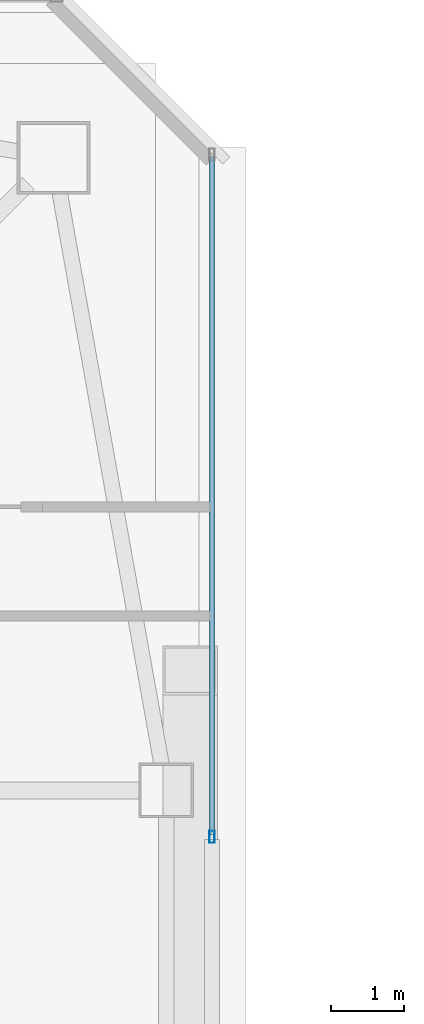
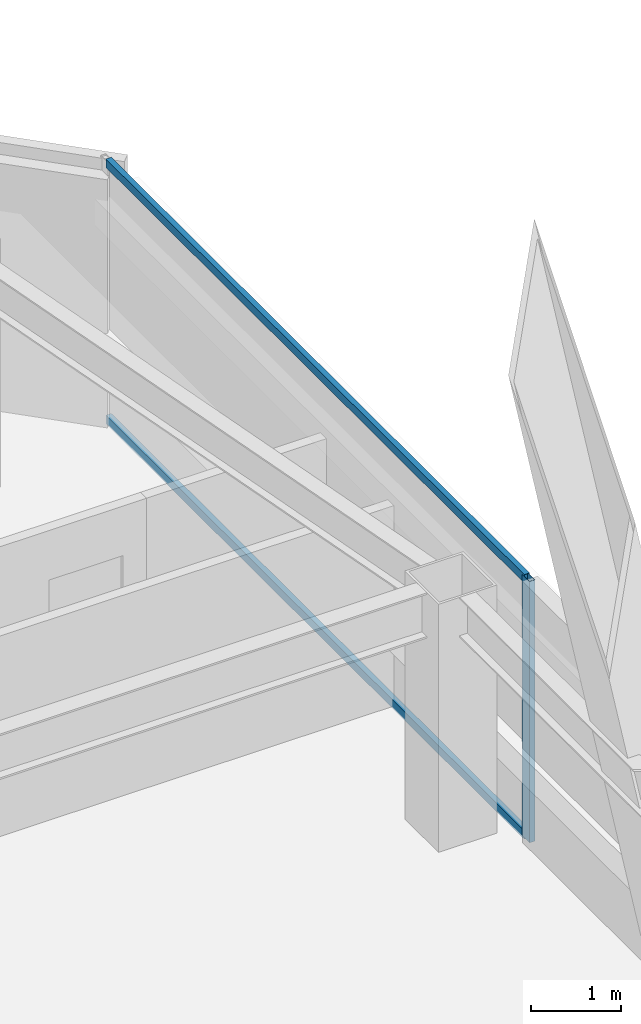
# One storey, part 13 of 47: 3 members, 1 element without a shape of its own.
"""IFC4 building model written with IfcOpenShell, lengths in metres."""

from ifc_helpers import new_model, si_unit, direction, frame, origin, origin_2d, place, context, subcontext, project, spatial, hollow_rectangle, extrude, material, material_profile, profile_set, type_object, element, aggregate, save


model = new_model("IFC4")

# Units and contexts
model_context = context("Model", 3, precision=1e-05, world=origin(), true_north=direction((0.0, 1.0)))
body_context = subcontext(model_context, "Body", "Model", "MODEL_VIEW")
ifc_project = project(units=[si_unit("LENGTHUNIT", "METRE"), si_unit("AREAUNIT", "SQUARE_METRE"), si_unit("VOLUMEUNIT", "CUBIC_METRE"), si_unit("PLANEANGLEUNIT", "RADIAN"), si_unit("MASSUNIT", "GRAM", prefix="KILO")], contexts=[model_context])

# Site, building, storey
site_placement = place(None, origin())
site = spatial("IfcSite", under=ifc_project, at=site_placement, CompositionType="ELEMENT")
building_placement = place(site_placement, origin())
building = spatial("IfcBuilding", under=site, at=building_placement, Name="Tashvorn Skyway Center", CompositionType="ELEMENT")
storey_placement = place(building_placement, frame((0.0, 0.0, 204.199951171875)))
storey = spatial("IfcBuildingStorey", under=building, at=storey_placement, Name="L55", CompositionType="ELEMENT", Elevation=204.199951171875)

# Curtain wall, members
ifc_material = material(Name="Thermally broken bronze-anodized aluminium 6063-T6", Category="aluminium")
curtain_wall_type = type_object("IfcCurtainWallType", Name="CW-CW-Z5", PredefinedType="NOTDEFINED", material=ifc_material)
curtain_wall_placement = place(storey_placement, origin())
curtain_wall = element("IfcCurtainWall", 1, at=curtain_wall_placement, inside=storey, type_object=curtain_wall_type, Name="Tower 1 L55 East Unitised Curtain Wall Glazing Group 1", PredefinedType="NOTDEFINED")
ifc_material_profile_1 = material_profile(ifc_material, hollow_rectangle(XDim=0.070068359375, YDim=0.1650390625, WallThickness=0.00390625, at=origin_2d()), Name="ALU-MULL-70x165")
ifc_profile_set_1 = profile_set([ifc_material_profile_1], Name="Thermally broken bronze-anodized aluminium 6063-T6")
member_type_1 = type_object("IfcMemberType", Name="CWM-CW-Z5", PredefinedType="MULLION", material=ifc_profile_set_1)
member_1_placement = place(storey_placement, frame((58.280029296875, 36.76171875, 0.0), z_axis=(0.0, 0.0, 1.0), x_axis=(1.0, 0.0, 0.0)))
member_1 = element("IfcMember", 2, at=member_1_placement, type_object=member_type_1, Name="CW-Z5 mullion 2", PredefinedType="MULLION", context=body_context, shape_type="SweptSolid", body=[
    extrude(hollow_rectangle(XDim=0.070068359375, YDim=0.1650390625, WallThickness=0.00390625, at=origin_2d()), origin(), (0.0, 0.0, 1.0), 3.550048828125),
])
ifc_material_profile_2 = material_profile(ifc_material, hollow_rectangle(XDim=0.070068359375, YDim=0.114990234375, WallThickness=0.00390625, at=origin_2d()), Name="ALU-TRAN-70x115")
ifc_profile_set_2 = profile_set([ifc_material_profile_2], Name="Thermally broken bronze-anodized aluminium 6063-T6")
member_type_2 = type_object("IfcMemberType", Name="CWT-CW-Z5", PredefinedType="USERDEFINED", material=ifc_profile_set_2)
member_2_placement = place(storey_placement, frame((58.280029296875, 46.110107421875, 0.03515625), z_axis=(0.0, -1.0, 0.0), x_axis=(1.0, 0.0, 0.0)))
member_2 = element("IfcMember", 3, at=member_2_placement, type_object=member_type_2, Name="CW-Z5 transom 1.1", ObjectType="TRANSOM", PredefinedType="USERDEFINED", context=body_context, shape_type="SweptSolid", body=[
    extrude(hollow_rectangle(XDim=0.070068359375, YDim=0.114990234375, WallThickness=0.00390625, at=origin_2d()), origin(), (0.0, 0.0, 1.0), 9.3134765625),
])
member_3_placement = place(storey_placement, frame((58.280029296875, 46.110107421875, 3.51513671875), z_axis=(0.0, -1.0, 0.0), x_axis=(1.0, 0.0, 0.0)))
member_3 = element("IfcMember", 4, at=member_3_placement, type_object=member_type_2, Name="CW-Z5 transom 1.2", ObjectType="TRANSOM", PredefinedType="USERDEFINED", context=body_context, shape_type="SweptSolid", body=[
    extrude(hollow_rectangle(XDim=0.070068359375, YDim=0.114990234375, WallThickness=0.00390625, at=origin_2d()), origin(), (0.0, 0.0, 1.0), 9.3134765625),
])
aggregate(curtain_wall, [member_1, member_2, member_3])

save(model, "model.ifc")
